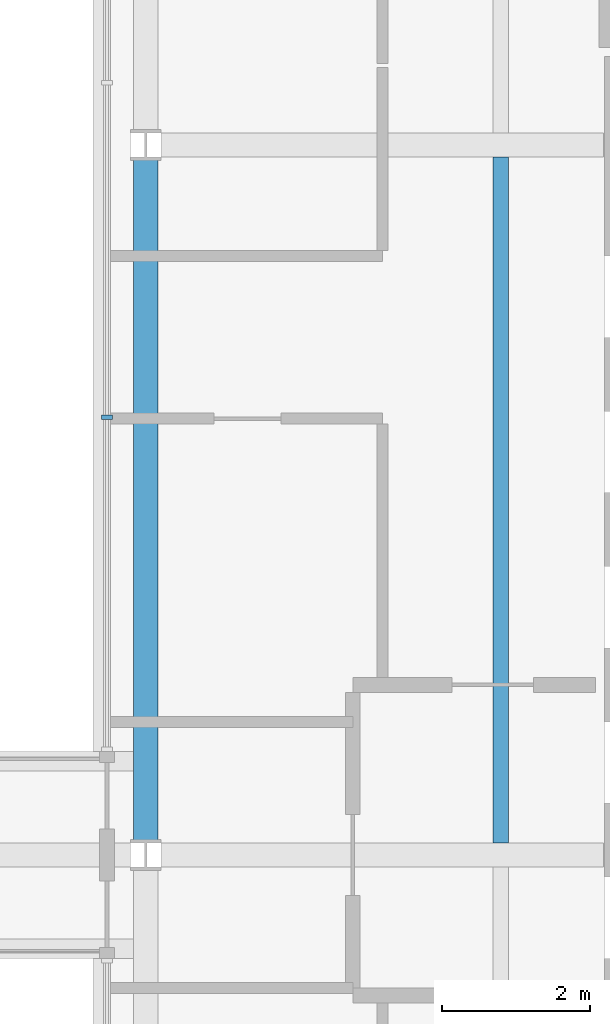
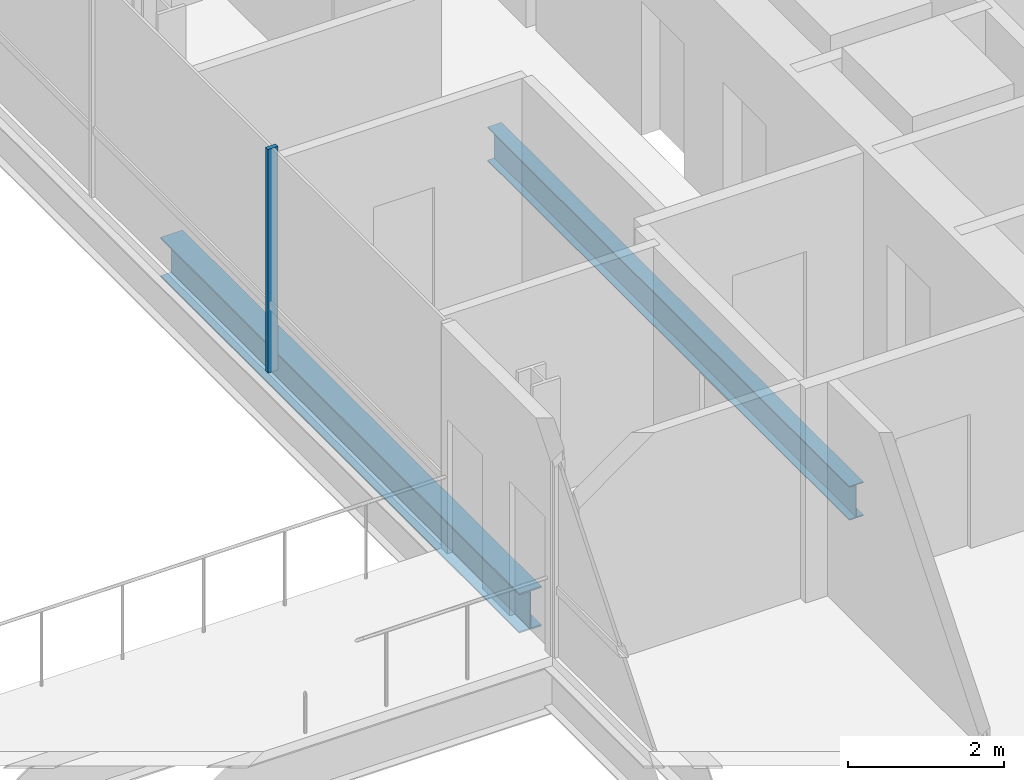
# One storey, part 5 of 18: 2 beams, 1 member, 1 element without a shape of its own.
"""IFC4 building model written with IfcOpenShell, lengths in metres."""

from ifc_helpers import new_model, si_unit, direction, frame, origin, origin_2d, place, context, subcontext, project, spatial, rectangle, i_section, extrude, material, material_profile, profile_set, type_object, element, aggregate, save


model = new_model("IFC4")

# Units and contexts
model_context = context("Model", 3, precision=1e-05, world=origin(), true_north=direction((0.0, 1.0)))
body_context = subcontext(model_context, "Body", "Model", "MODEL_VIEW")
ifc_project = project(units=[si_unit("LENGTHUNIT", "METRE"), si_unit("AREAUNIT", "SQUARE_METRE"), si_unit("VOLUMEUNIT", "CUBIC_METRE"), si_unit("PLANEANGLEUNIT", "RADIAN"), si_unit("MASSUNIT", "GRAM", prefix="KILO")], contexts=[model_context])

# Site, building, storey
site_placement = place(None, origin())
site = spatial("IfcSite", under=ifc_project, at=site_placement, CompositionType="ELEMENT")
building_placement = place(site_placement, origin())
building = spatial("IfcBuilding", under=site, at=building_placement, Name="Cobrizo Arcos Hotel Tower", CompositionType="ELEMENT")
storey_placement = place(building_placement, frame((0.0, 0.0, 77.5)))
storey = spatial("IfcBuildingStorey", under=building, at=storey_placement, Name="L18", CompositionType="ELEMENT", Elevation=77.5)

# Curtain wall, member
ifc_material_1 = material(Name="Aluminium 6063-T6 anodised bronze", Category="aluminium")
curtain_wall_type = type_object("IfcCurtainWallType", Name="CW-F void screen", PredefinedType="NOTDEFINED", material=ifc_material_1)
curtain_wall_placement = place(storey_placement, origin())
curtain_wall = element("IfcCurtainWall", 1, at=curtain_wall_placement, inside=storey, type_object=curtain_wall_type, Name="CW-F L18 void screen A", PredefinedType="NOTDEFINED")
ifc_material_profile_1 = material_profile(ifc_material_1, rectangle(XDim=0.14990234375, YDim=0.06005859375, at=origin_2d()), Name="CW-F mullion 150x60")
ifc_profile_set_1 = profile_set([ifc_material_profile_1], Name="Aluminium 6063-T6 anodised bronze")
member_type = type_object("IfcMemberType", Name="CW-F mullion 150x60", PredefinedType="MULLION", material=ifc_profile_set_1)
member_placement = place(storey_placement, frame((9.074951171875, 5.919921875, 0.0), z_axis=(0.0, 0.0, 1.0), x_axis=(1.0, 0.0, 0.0)))
member = element("IfcMember", 2, at=member_placement, type_object=member_type, Name="CW-F mullion 2", PredefinedType="MULLION", context=body_context, shape_type="SweptSolid", body=[
    extrude(rectangle(XDim=0.14990234375, YDim=0.06005859375, at=origin_2d()), origin(), (0.0, 0.0, 1.0), 3.5),
])
aggregate(curtain_wall, [member])

# Beams
ifc_material_2 = material(Name="Steel ASTM A992 Grade 50", Category="steel")
ifc_material_profile_2 = material_profile(ifc_material_2, i_section(OverallWidth=0.209228515625, OverallDepth=0.533447265625, WebThickness=0.01025390625, FlangeThickness=0.015625, at=origin_2d()), Name="W21X62")
ifc_profile_set_2 = profile_set([ifc_material_profile_2], Name="Steel ASTM A992 Grade 50")
beam_type_1 = type_object("IfcBeamType", Name="W21X62 joist", PredefinedType="JOIST", material=ifc_profile_set_2)
beam_1_placement = place(storey_placement, frame((14.39990234375, 0.163818359375, -0.416748046875), z_axis=(0.0, 1.0, 0.0), x_axis=(-1.0, 0.0, 0.0)))
element("IfcBeam", 3, at=beam_1_placement, inside=storey, type_object=beam_type_1, Name="Floor joist J1, L18, no. 009", PredefinedType="JOIST", context=body_context, shape_type="SweptSolid", body=[
    extrude(i_section(OverallWidth=0.209228515625, OverallDepth=0.533447265625, WebThickness=0.01025390625, FlangeThickness=0.015625, at=origin_2d()), origin(), (0.0, 0.0, 1.0), 9.272216796875),
])
ifc_material_profile_3 = material_profile(ifc_material_2, i_section(OverallWidth=0.32763671875, OverallDepth=0.622314453125, WebThickness=0.015380859375, FlangeThickness=0.0244140625, at=origin_2d()), Name="W24X131")
ifc_profile_set_3 = profile_set([ifc_material_profile_3], Name="Steel ASTM A992 Grade 50")
beam_type_2 = type_object("IfcBeamType", Name="W24X131 girder", PredefinedType="BEAM", material=ifc_profile_set_3)
beam_2_placement = place(storey_placement, frame((9.60009765625, 0.204345703125, -0.461181640625), z_axis=(0.0, 1.0, 0.0), x_axis=(-1.0, 0.0, 0.0)))
element("IfcBeam", 4, at=beam_2_placement, inside=storey, type_object=beam_type_2, Name="Floor girder G1, L18, no. 014", PredefinedType="BEAM", context=body_context, shape_type="SweptSolid", body=[
    extrude(i_section(OverallWidth=0.32763671875, OverallDepth=0.622314453125, WebThickness=0.015380859375, FlangeThickness=0.0244140625, at=origin_2d()), origin(), (0.0, 0.0, 1.0), 9.191162109375),
])

save(model, "model.ifc")
